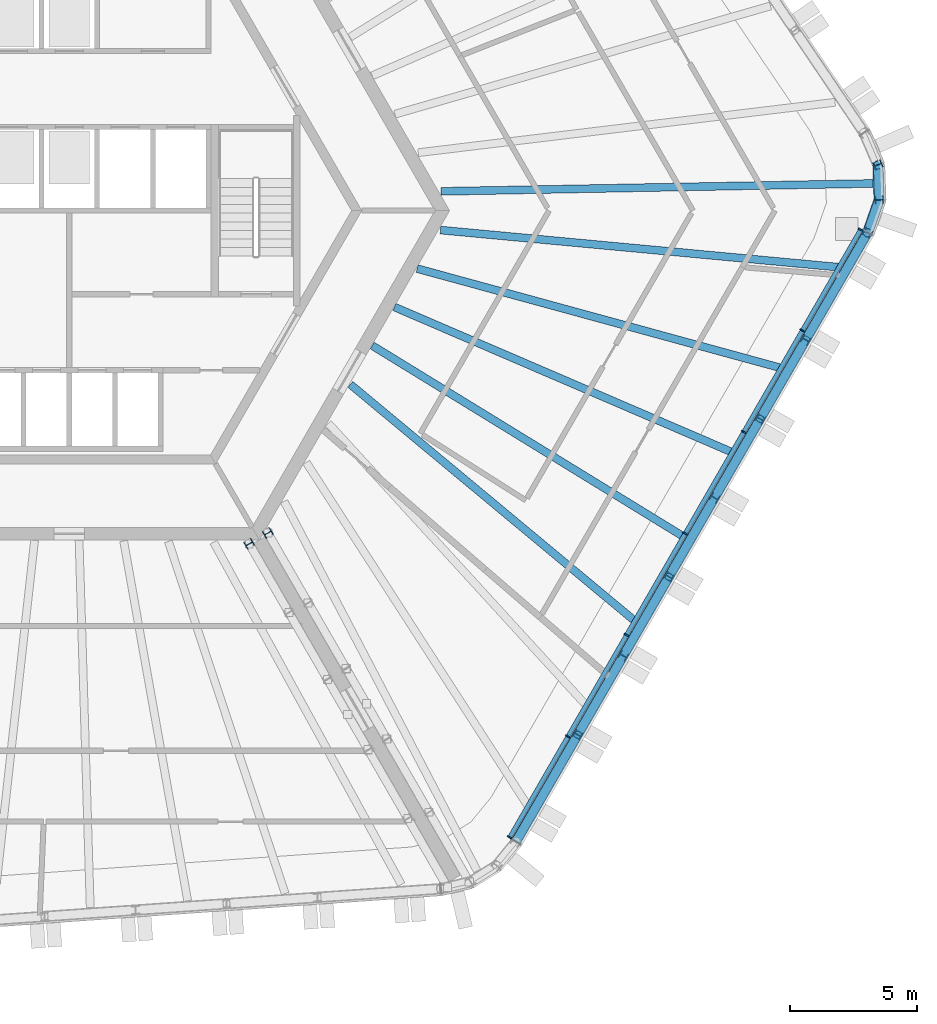
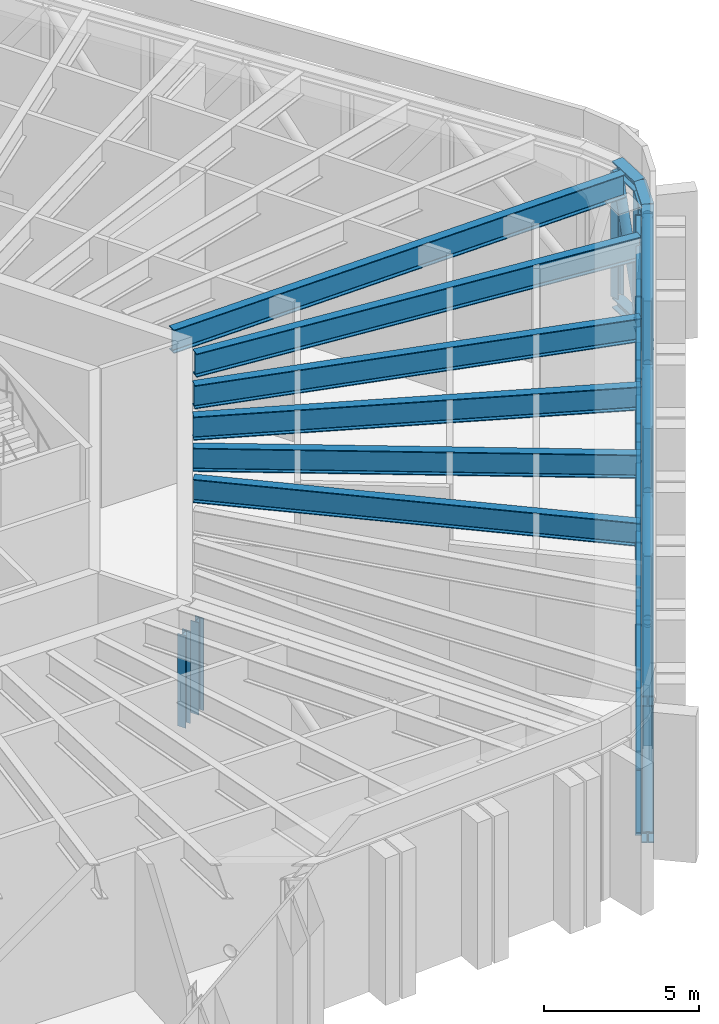
# One storey, part 5 of 24: 51 members, 6 beams, 1 element without a shape of its own.
"""IFC4 building model written with IfcOpenShell, lengths in metres."""

from ifc_helpers import new_model, si_unit, direction, frame, origin, origin_2d, place, context, subcontext, project, spatial, rectangle, hollow_circle, i_section, extrude, material, material_profile, profile_set, type_object, element, aggregate, save


model = new_model("IFC4")

# Units and contexts
model_context = context("Model", 3, precision=1e-05, world=origin(), true_north=direction((0.0, 1.0)))
body_context = subcontext(model_context, "Body", "Model", "MODEL_VIEW")
ifc_project = project(units=[si_unit("LENGTHUNIT", "METRE"), si_unit("AREAUNIT", "SQUARE_METRE"), si_unit("VOLUMEUNIT", "CUBIC_METRE"), si_unit("PLANEANGLEUNIT", "RADIAN"), si_unit("MASSUNIT", "GRAM", prefix="KILO")], contexts=[model_context])

# Site, building, storey
site_placement = place(None, origin())
site = spatial("IfcSite", under=ifc_project, at=site_placement, CompositionType="ELEMENT")
building_placement = place(site_placement, origin())
building = spatial("IfcBuilding", under=site, at=building_placement, Name="Tarnside Tower", CompositionType="ELEMENT")
storey_placement = place(building_placement, frame((0.0, 0.0, 250.199951171875)))
storey = spatial("IfcBuildingStorey", under=building, at=storey_placement, Name="L60", CompositionType="ELEMENT", Elevation=250.199951171875)

# Beams
ifc_material_1 = material(Name="Steel S355", Category="steel")
ifc_material_profile_1 = material_profile(ifc_material_1, i_section(OverallWidth=0.3076171875, OverallDepth=0.926513671875, WebThickness=0.01953125, FlangeThickness=0.031982421875, FilletRadius=0.01904296875, at=origin_2d()), Name="UB 914x305x289")
ifc_profile_set_1 = profile_set([ifc_material_profile_1], Name="Steel S355")
beam_type = type_object("IfcBeamType", Name="Floor beam UB 914x305x289", PredefinedType="BEAM", material=ifc_profile_set_1)
beam_1_placement = place(storey_placement, frame((22.364013671875, -16.228759765625, 5.036865234375), z_axis=(-0.7689391004, 0.639322031433, 0.0), x_axis=(-0.639322031433, -0.7689391004, 0.0)))
element("IfcBeam", 1, at=beam_1_placement, inside=storey, type_object=beam_type, Name="Floor beam F5.03", PredefinedType="BEAM", context=body_context, shape_type="SweptSolid", body=[
    extrude(i_section(OverallWidth=0.3076171875, OverallDepth=0.926513671875, WebThickness=0.01953125, FlangeThickness=0.031982421875, FilletRadius=0.01904296875, at=origin_2d()), origin(), (0.0, 0.0, 1.0), 14.654052734375),
])
beam_2_placement = place(storey_placement, frame((24.305908203125, -12.904052734375, 5.036865234375), z_axis=(-0.852280895074, 0.52308438697, 0.0), x_axis=(-0.52308438697, -0.852280895074, 0.0)))
element("IfcBeam", 2, at=beam_2_placement, inside=storey, type_object=beam_type, Name="Floor beam F5.04", PredefinedType="BEAM", context=body_context, shape_type="SweptSolid", body=[
    extrude(i_section(OverallWidth=0.3076171875, OverallDepth=0.926513671875, WebThickness=0.01953125, FlangeThickness=0.031982421875, FilletRadius=0.01904296875, at=origin_2d()), origin(), (0.0, 0.0, 1.0), 14.48681640625),
])
beam_3_placement = place(storey_placement, frame((26.23291015625, -9.566650390625, 5.036865234375), z_axis=(-0.918628109839, 0.395123266607, 0.0), x_axis=(-0.395123266607, -0.918628109839, 0.0)))
element("IfcBeam", 3, at=beam_3_placement, inside=storey, type_object=beam_type, Name="Floor beam F5.05", PredefinedType="BEAM", context=body_context, shape_type="SweptSolid", body=[
    extrude(i_section(OverallWidth=0.3076171875, OverallDepth=0.926513671875, WebThickness=0.01953125, FlangeThickness=0.031982421875, FilletRadius=0.01904296875, at=origin_2d()), origin(), (0.0, 0.0, 1.0), 14.58203125),
])
beam_4_placement = place(storey_placement, frame((28.140869140625, -6.224365234375, 5.036865234375), z_axis=(-0.964653201447, 0.263522676326, 0.0), x_axis=(-0.263522676326, -0.964653201447, 0.0)))
element("IfcBeam", 4, at=beam_4_placement, inside=storey, type_object=beam_type, Name="Floor beam F5.06", PredefinedType="BEAM", context=body_context, shape_type="SweptSolid", body=[
    extrude(i_section(OverallWidth=0.3076171875, OverallDepth=0.926513671875, WebThickness=0.01953125, FlangeThickness=0.031982421875, FilletRadius=0.01904296875, at=origin_2d()), origin(), (0.0, 0.0, 1.0), 14.934326171875),
])
beam_5_placement = place(storey_placement, frame((30.404541015625, -2.2353515625, 5.036865234375), z_axis=(-0.995682628039, 0.092822972484, 0.0), x_axis=(-0.092822972484, -0.995682628039, 0.0)))
element("IfcBeam", 5, at=beam_5_placement, inside=storey, type_object=beam_type, Name="Floor beam F5.07", PredefinedType="BEAM", context=body_context, shape_type="SweptSolid", body=[
    extrude(i_section(OverallWidth=0.3076171875, OverallDepth=0.926513671875, WebThickness=0.01953125, FlangeThickness=0.031982421875, FilletRadius=0.01904296875, at=origin_2d()), origin(), (0.0, 0.0, 1.0), 15.820556640625),
])
beam_6_placement = place(storey_placement, frame((31.71923828125, 1.072509765625, 5.036865234375), z_axis=(-0.999833319509, -0.018257414926, 0.0), x_axis=(0.018257414926, -0.999833319509, 0.0)))
element("IfcBeam", 6, at=beam_6_placement, inside=storey, type_object=beam_type, Name="Floor beam C5", PredefinedType="BEAM", context=body_context, shape_type="SweptSolid", body=[
    extrude(i_section(OverallWidth=0.3076171875, OverallDepth=0.926513671875, WebThickness=0.01953125, FlangeThickness=0.031982421875, FilletRadius=0.01904296875, at=origin_2d()), origin(), (0.0, 0.0, 1.0), 17.049560546875),
])

# Members
ifc_material_profile_2 = material_profile(ifc_material_1, i_section(OverallWidth=0.311279296875, OverallDepth=0.3271484375, WebThickness=0.015869140625, FlangeThickness=0.02490234375, FilletRadius=0.01513671875, at=origin_2d()), Name="UC 305x305x158")
ifc_profile_set_2 = profile_set([ifc_material_profile_2], Name="Steel S355")
member_type_1 = type_object("IfcMemberType", Name="Outrigger post UC 305x305x158", PredefinedType="POST", material=ifc_profile_set_2)
for number, where, z_axis, x_axis, name in (
    (7, (7.839111328125, -12.7265625, 0.9267578125), (0.0, 0.0, 1.0), (0.5, -0.866025403784, 0.0), "Outrigger truss post OR3A 1"),
    (8, (7.101806640625, -13.152099609375, 0.9267578125), (0.0, 0.0, 1.0), (0.5, -0.866025403784, 0.0), "Outrigger truss post OR3B 1"),
):
    element("IfcMember", number, at=place(storey_placement, frame(where, z_axis=z_axis, x_axis=x_axis)), inside=storey, type_object=member_type_1, Name=name, PredefinedType="POST", context=body_context, shape_type="SweptSolid", body=[
        extrude(i_section(OverallWidth=0.311279296875, OverallDepth=0.3271484375, WebThickness=0.015869140625, FlangeThickness=0.02490234375, FilletRadius=0.01513671875, at=origin_2d()), origin(), (0.0, 0.0, 1.0), 3.646728515625),
    ])

# Curtain wall, members
ifc_material_2 = material(Name="Sky lobby glazing wall", Category="glass")
curtain_wall_type = type_object("IfcCurtainWallType", Name="Sky lobby glazing wall", PredefinedType="NOTDEFINED", material=ifc_material_2)
curtain_wall_placement = place(storey_placement, origin())
curtain_wall = element("IfcCurtainWall", 9, at=curtain_wall_placement, inside=storey, type_object=curtain_wall_type, Name="Sky lobby glazing L60 F5", PredefinedType="NOTDEFINED")
ifc_material_3 = material(Name="Aluminium alloy 6063", Category="aluminium")
ifc_material_profile_3 = material_profile(ifc_material_3, rectangle(XDim=0.199951171875, YDim=0.06005859375, at=origin_2d()), Name="Sky lobby glazing mullion 60 x 200")
ifc_profile_set_3 = profile_set([ifc_material_profile_3], Name="Aluminium alloy 6063")
member_type_2 = type_object("IfcMemberType", Name="Sky lobby glazing mullion 60 x 200", PredefinedType="MULLION", material=ifc_profile_set_3)
member_1_placement = place(storey_placement, frame((17.38232421875, -24.736083984375, 0.0), z_axis=(0.0, 0.0, 1.0), x_axis=(-0.866025403784, 0.5, 0.0)))
member_1 = element("IfcMember", 10, at=member_1_placement, type_object=member_type_2, Name="CW4 mullion 1", PredefinedType="MULLION", context=body_context, shape_type="SweptSolid", body=[
    extrude(rectangle(XDim=0.199951171875, YDim=0.06005859375, at=origin_2d()), origin(), (0.0, 0.0, 1.0), 5.0810546875),
])
member_2_placement = place(storey_placement, frame((19.680419921875, -20.755615234375, 0.0), z_axis=(0.0, 0.0, 1.0), x_axis=(-0.866025403784, 0.5, 0.0)))
member_2 = element("IfcMember", 11, at=member_2_placement, type_object=member_type_2, Name="CW4 mullion 2", PredefinedType="MULLION", context=body_context, shape_type="SweptSolid", body=[
    extrude(rectangle(XDim=0.199951171875, YDim=0.06005859375, at=origin_2d()), origin(), (0.0, 0.0, 1.0), 5.0810546875),
])
member_3_placement = place(storey_placement, frame((21.993408203125, -16.7490234375, 0.0), z_axis=(0.0, 0.0, 1.0), x_axis=(-0.866025403784, 0.5, 0.0)))
member_3 = element("IfcMember", 12, at=member_3_placement, type_object=member_type_2, Name="CW4 mullion 3", PredefinedType="MULLION", context=body_context, shape_type="SweptSolid", body=[
    extrude(rectangle(XDim=0.199951171875, YDim=0.06005859375, at=origin_2d()), origin(), (0.0, 0.0, 1.0), 5.0810546875),
])
member_4_placement = place(storey_placement, frame((24.306640625, -12.74267578125, 0.0), z_axis=(0.0, 0.0, 1.0), x_axis=(-0.866025403784, 0.5, 0.0)))
member_4 = element("IfcMember", 13, at=member_4_placement, type_object=member_type_2, Name="CW4 mullion 4", PredefinedType="MULLION", context=body_context, shape_type="SweptSolid", body=[
    extrude(rectangle(XDim=0.199951171875, YDim=0.06005859375, at=origin_2d()), origin(), (0.0, 0.0, 1.0), 5.0810546875),
])
member_5_placement = place(storey_placement, frame((26.619873046875, -8.736083984375, 0.0), z_axis=(0.0, 0.0, 1.0), x_axis=(-0.866025403784, 0.5, 0.0)))
member_5 = element("IfcMember", 14, at=member_5_placement, type_object=member_type_2, Name="CW4 mullion 5", PredefinedType="MULLION", context=body_context, shape_type="SweptSolid", body=[
    extrude(rectangle(XDim=0.199951171875, YDim=0.06005859375, at=origin_2d()), origin(), (0.0, 0.0, 1.0), 5.0810546875),
])
member_6_placement = place(storey_placement, frame((28.93310546875, -4.7294921875, 0.0), z_axis=(0.0, 0.0, 1.0), x_axis=(-0.866025403784, 0.5, 0.0)))
member_6 = element("IfcMember", 15, at=member_6_placement, type_object=member_type_2, Name="CW4 mullion 6", PredefinedType="MULLION", context=body_context, shape_type="SweptSolid", body=[
    extrude(rectangle(XDim=0.199951171875, YDim=0.06005859375, at=origin_2d()), origin(), (0.0, 0.0, 1.0), 5.0810546875),
])
member_7_placement = place(storey_placement, frame((31.231201171875, -0.7490234375, 0.0), z_axis=(0.0, 0.0, 1.0), x_axis=(-0.866025403784, 0.5, 0.0)))
member_7 = element("IfcMember", 16, at=member_7_placement, type_object=member_type_2, Name="CW4 mullion 7", PredefinedType="MULLION", context=body_context, shape_type="SweptSolid", body=[
    extrude(rectangle(XDim=0.199951171875, YDim=0.06005859375, at=origin_2d()), origin(), (0.0, 0.0, 1.0), 5.0810546875),
])
ifc_material_profile_4 = material_profile(ifc_material_3, rectangle(XDim=0.159912109375, YDim=0.06005859375, at=origin_2d()), Name="Sky lobby glazing transom 60 x 160")
ifc_profile_set_4 = profile_set([ifc_material_profile_4], Name="Aluminium alloy 6063")
member_type_3 = type_object("IfcMemberType", Name="Sky lobby glazing transom 60 x 160", PredefinedType="USERDEFINED", material=ifc_profile_set_4)
member_8_placement = place(storey_placement, frame((17.397216796875, -24.710205078125, 0.030029296875), z_axis=(0.499970916434, 0.866042194538, 0.0), x_axis=(-0.866042194538, 0.499970916434, 0.0)))
member_8 = element("IfcMember", 17, at=member_8_placement, type_object=member_type_3, Name="CW4 transom 1.1", ObjectType="TRANSOM", PredefinedType="USERDEFINED", context=body_context, shape_type="SweptSolid", body=[
    extrude(rectangle(XDim=0.159912109375, YDim=0.06005859375, at=origin_2d()), origin(), (0.0, 0.0, 1.0), 4.536376953125),
])
member_9_placement = place(storey_placement, frame((17.397216796875, -24.710205078125, 2.54052734375), z_axis=(0.499970916434, 0.866042194538, 0.0), x_axis=(-0.866042194538, 0.499970916434, 0.0)))
member_9 = element("IfcMember", 18, at=member_9_placement, type_object=member_type_3, Name="CW4 transom 1.2", ObjectType="TRANSOM", PredefinedType="USERDEFINED", context=body_context, shape_type="SweptSolid", body=[
    extrude(rectangle(XDim=0.159912109375, YDim=0.06005859375, at=origin_2d()), origin(), (0.0, 0.0, 1.0), 4.536376953125),
])
member_10_placement = place(storey_placement, frame((17.397216796875, -24.710205078125, 5.051025390625), z_axis=(0.499970916434, 0.866042194538, 0.0), x_axis=(-0.866042194538, 0.499970916434, 0.0)))
member_10 = element("IfcMember", 19, at=member_10_placement, type_object=member_type_3, Name="CW4 transom 1.3", ObjectType="TRANSOM", PredefinedType="USERDEFINED", context=body_context, shape_type="SweptSolid", body=[
    extrude(rectangle(XDim=0.159912109375, YDim=0.06005859375, at=origin_2d()), origin(), (0.0, 0.0, 1.0), 4.536376953125),
])
member_11_placement = place(storey_placement, frame((19.6953125, -20.729736328125, 0.030029296875), z_axis=(0.500003221507, 0.866023543838, 0.0), x_axis=(-0.866023543838, 0.500003221507, 0.0)))
member_11 = element("IfcMember", 20, at=member_11_placement, type_object=member_type_3, Name="CW4 transom 2.1", ObjectType="TRANSOM", PredefinedType="USERDEFINED", context=body_context, shape_type="SweptSolid", body=[
    extrude(rectangle(XDim=0.159912109375, YDim=0.06005859375, at=origin_2d()), origin(), (0.0, 0.0, 1.0), 4.56640625),
])
member_12_placement = place(storey_placement, frame((19.6953125, -20.729736328125, 2.54052734375), z_axis=(0.500003221507, 0.866023543838, 0.0), x_axis=(-0.866023543838, 0.500003221507, 0.0)))
member_12 = element("IfcMember", 21, at=member_12_placement, type_object=member_type_3, Name="CW4 transom 2.2", ObjectType="TRANSOM", PredefinedType="USERDEFINED", context=body_context, shape_type="SweptSolid", body=[
    extrude(rectangle(XDim=0.159912109375, YDim=0.06005859375, at=origin_2d()), origin(), (0.0, 0.0, 1.0), 4.56640625),
])
member_13_placement = place(storey_placement, frame((19.6953125, -20.729736328125, 5.051025390625), z_axis=(0.500003221507, 0.866023543838, 0.0), x_axis=(-0.866023543838, 0.500003221507, 0.0)))
member_13 = element("IfcMember", 22, at=member_13_placement, type_object=member_type_3, Name="CW4 transom 2.3", ObjectType="TRANSOM", PredefinedType="USERDEFINED", context=body_context, shape_type="SweptSolid", body=[
    extrude(rectangle(XDim=0.159912109375, YDim=0.06005859375, at=origin_2d()), origin(), (0.0, 0.0, 1.0), 4.56640625),
])
member_14_placement = place(storey_placement, frame((22.008544921875, -16.72314453125, 0.030029296875), z_axis=(0.500003221507, 0.866023543838, 0.0), x_axis=(-0.866023543838, 0.500003221507, 0.0)))
member_14 = element("IfcMember", 23, at=member_14_placement, type_object=member_type_3, Name="CW4 transom 3.1", ObjectType="TRANSOM", PredefinedType="USERDEFINED", context=body_context, shape_type="SweptSolid", body=[
    extrude(rectangle(XDim=0.159912109375, YDim=0.06005859375, at=origin_2d()), origin(), (0.0, 0.0, 1.0), 4.56640625),
])
member_15_placement = place(storey_placement, frame((22.008544921875, -16.72314453125, 2.54052734375), z_axis=(0.500003221507, 0.866023543838, 0.0), x_axis=(-0.866023543838, 0.500003221507, 0.0)))
member_15 = element("IfcMember", 24, at=member_15_placement, type_object=member_type_3, Name="CW4 transom 3.2", ObjectType="TRANSOM", PredefinedType="USERDEFINED", context=body_context, shape_type="SweptSolid", body=[
    extrude(rectangle(XDim=0.159912109375, YDim=0.06005859375, at=origin_2d()), origin(), (0.0, 0.0, 1.0), 4.56640625),
])
member_16_placement = place(storey_placement, frame((22.008544921875, -16.72314453125, 5.051025390625), z_axis=(0.500003221507, 0.866023543838, 0.0), x_axis=(-0.866023543838, 0.500003221507, 0.0)))
member_16 = element("IfcMember", 25, at=member_16_placement, type_object=member_type_3, Name="CW4 transom 3.3", ObjectType="TRANSOM", PredefinedType="USERDEFINED", context=body_context, shape_type="SweptSolid", body=[
    extrude(rectangle(XDim=0.159912109375, YDim=0.06005859375, at=origin_2d()), origin(), (0.0, 0.0, 1.0), 4.56640625),
])
member_17_placement = place(storey_placement, frame((24.32177734375, -12.716552734375, 0.030029296875), z_axis=(0.499963121439, 0.866046694585, 0.0), x_axis=(-0.866046694585, 0.499963121439, 0.0)))
member_17 = element("IfcMember", 26, at=member_17_placement, type_object=member_type_3, Name="CW4 transom 4.1", ObjectType="TRANSOM", PredefinedType="USERDEFINED", context=body_context, shape_type="SweptSolid", body=[
    extrude(rectangle(XDim=0.159912109375, YDim=0.06005859375, at=origin_2d()), origin(), (0.0, 0.0, 1.0), 4.566162109375),
])
member_18_placement = place(storey_placement, frame((24.32177734375, -12.716552734375, 2.54052734375), z_axis=(0.499963121439, 0.866046694585, 0.0), x_axis=(-0.866046694585, 0.499963121439, 0.0)))
member_18 = element("IfcMember", 27, at=member_18_placement, type_object=member_type_3, Name="CW4 transom 4.2", ObjectType="TRANSOM", PredefinedType="USERDEFINED", context=body_context, shape_type="SweptSolid", body=[
    extrude(rectangle(XDim=0.159912109375, YDim=0.06005859375, at=origin_2d()), origin(), (0.0, 0.0, 1.0), 4.566162109375),
])
member_19_placement = place(storey_placement, frame((24.32177734375, -12.716552734375, 5.051025390625), z_axis=(0.499963121439, 0.866046694585, 0.0), x_axis=(-0.866046694585, 0.499963121439, 0.0)))
member_19 = element("IfcMember", 28, at=member_19_placement, type_object=member_type_3, Name="CW4 transom 4.3", ObjectType="TRANSOM", PredefinedType="USERDEFINED", context=body_context, shape_type="SweptSolid", body=[
    extrude(rectangle(XDim=0.159912109375, YDim=0.06005859375, at=origin_2d()), origin(), (0.0, 0.0, 1.0), 4.566162109375),
])
member_20_placement = place(storey_placement, frame((26.634765625, -8.710205078125, 0.030029296875), z_axis=(0.500003221507, 0.866023543838, 0.0), x_axis=(-0.866023543838, 0.500003221507, 0.0)))
member_20 = element("IfcMember", 29, at=member_20_placement, type_object=member_type_3, Name="CW4 transom 5.1", ObjectType="TRANSOM", PredefinedType="USERDEFINED", context=body_context, shape_type="SweptSolid", body=[
    extrude(rectangle(XDim=0.159912109375, YDim=0.06005859375, at=origin_2d()), origin(), (0.0, 0.0, 1.0), 4.56640625),
])
member_21_placement = place(storey_placement, frame((26.634765625, -8.710205078125, 2.54052734375), z_axis=(0.500003221507, 0.866023543838, 0.0), x_axis=(-0.866023543838, 0.500003221507, 0.0)))
member_21 = element("IfcMember", 30, at=member_21_placement, type_object=member_type_3, Name="CW4 transom 5.2", ObjectType="TRANSOM", PredefinedType="USERDEFINED", context=body_context, shape_type="SweptSolid", body=[
    extrude(rectangle(XDim=0.159912109375, YDim=0.06005859375, at=origin_2d()), origin(), (0.0, 0.0, 1.0), 4.56640625),
])
member_22_placement = place(storey_placement, frame((26.634765625, -8.710205078125, 5.051025390625), z_axis=(0.500003221507, 0.866023543838, 0.0), x_axis=(-0.866023543838, 0.500003221507, 0.0)))
member_22 = element("IfcMember", 31, at=member_22_placement, type_object=member_type_3, Name="CW4 transom 5.3", ObjectType="TRANSOM", PredefinedType="USERDEFINED", context=body_context, shape_type="SweptSolid", body=[
    extrude(rectangle(XDim=0.159912109375, YDim=0.06005859375, at=origin_2d()), origin(), (0.0, 0.0, 1.0), 4.56640625),
])
member_23_placement = place(storey_placement, frame((28.947998046875, -4.70361328125, 0.030029296875), z_axis=(0.499994220392, 0.866028740617, 0.0), x_axis=(-0.866028740617, 0.499994220392, 0.0)))
member_23 = element("IfcMember", 32, at=member_23_placement, type_object=member_type_3, Name="CW4 transom 6.1", ObjectType="TRANSOM", PredefinedType="USERDEFINED", context=body_context, shape_type="SweptSolid", body=[
    extrude(rectangle(XDim=0.159912109375, YDim=0.06005859375, at=origin_2d()), origin(), (0.0, 0.0, 1.0), 4.5361328125),
])
member_24_placement = place(storey_placement, frame((28.947998046875, -4.70361328125, 2.54052734375), z_axis=(0.499994220392, 0.866028740617, 0.0), x_axis=(-0.866028740617, 0.499994220392, 0.0)))
member_24 = element("IfcMember", 33, at=member_24_placement, type_object=member_type_3, Name="CW4 transom 6.2", ObjectType="TRANSOM", PredefinedType="USERDEFINED", context=body_context, shape_type="SweptSolid", body=[
    extrude(rectangle(XDim=0.159912109375, YDim=0.06005859375, at=origin_2d()), origin(), (0.0, 0.0, 1.0), 4.5361328125),
])
member_25_placement = place(storey_placement, frame((28.947998046875, -4.70361328125, 5.051025390625), z_axis=(0.499994220392, 0.866028740617, 0.0), x_axis=(-0.866028740617, 0.499994220392, 0.0)))
member_25 = element("IfcMember", 34, at=member_25_placement, type_object=member_type_3, Name="CW4 transom 6.3", ObjectType="TRANSOM", PredefinedType="USERDEFINED", context=body_context, shape_type="SweptSolid", body=[
    extrude(rectangle(XDim=0.159912109375, YDim=0.06005859375, at=origin_2d()), origin(), (0.0, 0.0, 1.0), 4.5361328125),
])
aggregate(curtain_wall, [member_1, member_2, member_3, member_4, member_5, member_6, member_7, member_8, member_9, member_10, member_11, member_12, member_13, member_14, member_15, member_16, member_17, member_18, member_19, member_20, member_21, member_22, member_23, member_24, member_25])

# Members
ifc_material_profile_5 = material_profile(ifc_material_1, i_section(OverallWidth=0.403076171875, OverallDepth=0.406494140625, WebThickness=0.026611328125, FlangeThickness=0.04296875, FilletRadius=0.01513671875, at=origin_2d()), Name="UC 356x406x340")
ifc_profile_set_5 = profile_set([ifc_material_profile_5], Name="Steel S355")
member_type_4 = type_object("IfcMemberType", Name="Truss chord UC 356x406x340", PredefinedType="CHORD", material=ifc_profile_set_5)
member_26_placement = place(storey_placement, frame((17.6298828125, -24.913818359375, -0.0966796875), z_axis=(0.500005165666, 0.866022421365, 0.0), x_axis=(-0.866022421365, 0.500005165666, 0.0)))
element("IfcMember", 35, at=member_26_placement, inside=storey, type_object=member_type_4, Name="Belt truss bottom chord L60 run", PredefinedType="CHORD", context=body_context, shape_type="SweptSolid", body=[
    extrude(i_section(OverallWidth=0.403076171875, OverallDepth=0.406494140625, WebThickness=0.026611328125, FlangeThickness=0.04296875, FilletRadius=0.01513671875, at=origin_2d()), origin(), (0.0, 0.0, 1.0), 27.758056640625),
])
member_27_placement = place(storey_placement, frame((31.509033203125, -0.874755859375, -0.0966796875), z_axis=(0.331060058364, 0.943609685069, 0.0), x_axis=(-0.943609685069, 0.331060058364, 0.0)))
element("IfcMember", 36, at=member_27_placement, inside=storey, type_object=member_type_4, Name="Belt truss bottom chord L60 corner5.1", PredefinedType="CHORD", context=body_context, shape_type="SweptSolid", body=[
    extrude(i_section(OverallWidth=0.403076171875, OverallDepth=0.406494140625, WebThickness=0.026611328125, FlangeThickness=0.04296875, FilletRadius=0.01513671875, at=origin_2d()), origin(), (0.0, 0.0, 1.0), 1.379150390625),
])
member_28_placement = place(storey_placement, frame((31.965576171875, 0.426513671875, -0.0966796875), z_axis=(-0.034883080409, 0.999391400154, 0.0), x_axis=(-0.999391400154, -0.034883080409, 0.0)))
element("IfcMember", 37, at=member_28_placement, inside=storey, type_object=member_type_4, Name="Belt truss bottom chord L60 corner5.2", PredefinedType="CHORD", context=body_context, shape_type="SweptSolid", body=[
    extrude(i_section(OverallWidth=0.403076171875, OverallDepth=0.406494140625, WebThickness=0.026611328125, FlangeThickness=0.04296875, FilletRadius=0.01513671875, at=origin_2d()), origin(), (0.0, 0.0, 1.0), 1.378662109375),
])
ifc_material_profile_6 = material_profile(ifc_material_1, i_section(OverallWidth=0.406982421875, OverallDepth=0.4189453125, WebThickness=0.030517578125, FlangeThickness=0.04931640625, FilletRadius=0.01513671875, at=origin_2d()), Name="UC 356x406x393")
ifc_profile_set_6 = profile_set([ifc_material_profile_6], Name="Steel S355")
member_type_5 = type_object("IfcMemberType", Name="Truss chord UC 356x406x393", PredefinedType="CHORD", material=ifc_profile_set_6)
member_29_placement = place(storey_placement, frame((17.6298828125, -24.913818359375, 5.29052734375), z_axis=(0.500005165666, 0.866022421365, 0.0), x_axis=(-0.866022421365, 0.500005165666, 0.0)))
element("IfcMember", 38, at=member_29_placement, inside=storey, type_object=member_type_5, Name="Belt truss top chord L60 run", PredefinedType="CHORD", context=body_context, shape_type="SweptSolid", body=[
    extrude(i_section(OverallWidth=0.406982421875, OverallDepth=0.4189453125, WebThickness=0.030517578125, FlangeThickness=0.04931640625, FilletRadius=0.01513671875, at=origin_2d()), origin(), (0.0, 0.0, 1.0), 27.758056640625),
])
member_30_placement = place(storey_placement, frame((31.509033203125, -0.874755859375, 5.29052734375), z_axis=(0.331060058364, 0.943609685069, 0.0), x_axis=(-0.943609685069, 0.331060058364, 0.0)))
element("IfcMember", 39, at=member_30_placement, inside=storey, type_object=member_type_5, Name="Belt truss top chord L60 corner5.1", PredefinedType="CHORD", context=body_context, shape_type="SweptSolid", body=[
    extrude(i_section(OverallWidth=0.406982421875, OverallDepth=0.4189453125, WebThickness=0.030517578125, FlangeThickness=0.04931640625, FilletRadius=0.01513671875, at=origin_2d()), origin(), (0.0, 0.0, 1.0), 1.379150390625),
])
member_31_placement = place(storey_placement, frame((31.965576171875, 0.426513671875, 5.29052734375), z_axis=(-0.034883080409, 0.999391400154, 0.0), x_axis=(-0.999391400154, -0.034883080409, 0.0)))
element("IfcMember", 40, at=member_31_placement, inside=storey, type_object=member_type_5, Name="Belt truss top chord L60 corner5.2", PredefinedType="CHORD", context=body_context, shape_type="SweptSolid", body=[
    extrude(i_section(OverallWidth=0.406982421875, OverallDepth=0.4189453125, WebThickness=0.030517578125, FlangeThickness=0.04931640625, FilletRadius=0.01513671875, at=origin_2d()), origin(), (0.0, 0.0, 1.0), 1.378662109375),
])
ifc_material_profile_7 = material_profile(ifc_material_1, hollow_circle(Radius=0.177734375, WallThickness=0.01611328125, at=origin_2d()), Name="CHS 355.6x16")
ifc_profile_set_7 = profile_set([ifc_material_profile_7], Name="Steel S355")
member_type_6 = type_object("IfcMemberType", Name="Truss diagonal CHS 355.6x16", PredefinedType="BRACE", material=ifc_profile_set_7)
member_32_placement = place(storey_placement, frame((17.6298828125, -24.913818359375, 0.1064453125), z_axis=(0.350138550562, 0.606374237569, 0.713942070075), x_axis=(-0.865995581791, 0.50005164965, 0.0)))
element("IfcMember", 41, at=member_32_placement, inside=storey, type_object=member_type_6, Name="Belt truss diagonal L60 41", PredefinedType="BRACE", context=body_context, shape_type="SweptSolid", body=[
    extrude(hollow_circle(Radius=0.177734375, WallThickness=0.01611328125, at=origin_2d()), origin(), (0.0, 0.0, 1.0), 6.9677734375),
])
for number, where, z_axis, x_axis, name in (
    (42, (20.069580078125, -20.688720703125, 5.0810546875), (0.29309724695, 0.50775161975, -0.81011252087), (-0.866064758299, 0.499931829785, 0.0), "Belt truss diagonal L60 42"),
    (43, (21.869384765625, -17.57080078125, 0.1064453125), (0.2931395064, 0.507716193779, 0.810119433394), (-0.866018442252, 0.500012057535, 0.0), "Belt truss diagonal L60 43"),
    (44, (23.66943359375, -14.453125, 5.0810546875), (0.2931395064, 0.507716193779, -0.810119433394), (-0.866018442252, 0.500012057535, 0.0), "Belt truss diagonal L60 44"),
):
    element("IfcMember", number, at=place(storey_placement, frame(where, z_axis=z_axis, x_axis=x_axis)), inside=storey, type_object=member_type_6, Name=name, PredefinedType="BRACE", context=body_context, shape_type="SweptSolid", body=[
        extrude(hollow_circle(Radius=0.177734375, WallThickness=0.01611328125, at=origin_2d()), origin(), (0.0, 0.0, 1.0), 6.140625),
    ])
member_33_placement = place(storey_placement, frame((25.469482421875, -11.33544921875, 0.1064453125), z_axis=(0.293145423674, 0.507686683153, 0.810135786352), x_axis=(-0.866001485781, 0.500041424909, 0.0)))
element("IfcMember", 45, at=member_33_placement, inside=storey, type_object=member_type_6, Name="Belt truss diagonal L60 45", PredefinedType="BRACE", context=body_context, shape_type="SweptSolid", body=[
    extrude(hollow_circle(Radius=0.177734375, WallThickness=0.01611328125, at=origin_2d()), origin(), (0.0, 0.0, 1.0), 6.140380859375),
])
member_34_placement = place(storey_placement, frame((27.26953125, -8.218017578125, 5.0810546875), z_axis=(0.293133589022, 0.507745702617, -0.810103080145), x_axis=(-0.866035395735, 0.499982693035, 0.0)))
element("IfcMember", 46, at=member_34_placement, inside=storey, type_object=member_type_6, Name="Belt truss diagonal L60 46", PredefinedType="BRACE", context=body_context, shape_type="SweptSolid", body=[
    extrude(hollow_circle(Radius=0.177734375, WallThickness=0.01611328125, at=origin_2d()), origin(), (0.0, 0.0, 1.0), 6.140625),
])
member_35_placement = place(storey_placement, frame((29.069580078125, -5.10009765625, 0.1064453125), z_axis=(0.350100368534, 0.606403830887, 0.713935659453), x_axis=(-0.866029761307, 0.499992452474, 0.0)))
element("IfcMember", 47, at=member_35_placement, inside=storey, type_object=member_type_6, Name="Belt truss diagonal L60 47", PredefinedType="BRACE", context=body_context, shape_type="SweptSolid", body=[
    extrude(hollow_circle(Radius=0.177734375, WallThickness=0.01611328125, at=origin_2d()), origin(), (0.0, 0.0, 1.0), 6.9677734375),
])
for number, where, z_axis, x_axis, name in (
    (48, (31.509033203125, -0.874755859375, 5.0810546875), (0.088439341457, 0.252075770034, -0.963657765519), (-0.943609685069, 0.331060058364, 0.0), "Belt truss diagonal L60 48"),
    (49, (31.965576171875, 0.426513671875, 0.1064453125), (-0.009316999494, 0.266929670794, 0.963670973087), (-0.999391400154, -0.034883080409, 0.0), "Belt truss diagonal L60 49"),
):
    element("IfcMember", number, at=place(storey_placement, frame(where, z_axis=z_axis, x_axis=x_axis)), inside=storey, type_object=member_type_6, Name=name, PredefinedType="BRACE", context=body_context, shape_type="SweptSolid", body=[
        extrude(hollow_circle(Radius=0.177734375, WallThickness=0.01611328125, at=origin_2d()), origin(), (0.0, 0.0, 1.0), 5.162109375),
    ])
ifc_material_profile_8 = material_profile(ifc_material_1, i_section(OverallWidth=0.311279296875, OverallDepth=0.3271484375, WebThickness=0.015869140625, FlangeThickness=0.02490234375, FilletRadius=0.01513671875, at=origin_2d()), Name="UC 305x305x158")
ifc_profile_set_8 = profile_set([ifc_material_profile_8], Name="Steel S355")
member_type_7 = type_object("IfcMemberType", Name="Truss post UC 305x305x158", PredefinedType="POST", material=ifc_profile_set_8)
for number, where, z_axis, x_axis, name in (
    (50, (20.069580078125, -20.688720703125, 0.1064453125), (0.0, 0.0, 1.0), (0.5, 0.866025403784, 0.0), "Belt truss post L60 42"),
    (51, (21.869384765625, -17.57080078125, 0.1064453125), (0.0, 0.0, 1.0), (0.5, 0.866025403784, 0.0), "Belt truss post L60 43"),
    (52, (23.66943359375, -14.453125, 0.1064453125), (0.0, 0.0, 1.0), (0.5, 0.866025403784, 0.0), "Belt truss post L60 44"),
    (53, (25.469482421875, -11.33544921875, 0.1064453125), (0.0, 0.0, 1.0), (0.5, 0.866025403784, 0.0), "Belt truss post L60 45"),
    (54, (27.26953125, -8.218017578125, 0.1064453125), (0.0, 0.0, 1.0), (0.5, 0.866025403784, 0.0), "Belt truss post L60 46"),
    (55, (29.069580078125, -5.10009765625, 0.1064453125), (0.0, 0.0, 1.0), (0.5, 0.866025403784, 0.0), "Belt truss post L60 47"),
    (56, (31.509033203125, -0.874755859375, 0.1064453125), (0.0, 0.0, 1.0), (0.5, 0.866025403784, 0.0), "Belt truss post L60 48"),
    (57, (31.965576171875, 0.426513671875, 0.1064453125), (0.0, 0.0, 1.0), (-0.034899496703, 0.999390827019, 0.0), "Belt truss post L60 49"),
    (58, (31.91748046875, 1.804443359375, 0.1064453125), (0.0, 0.0, 1.0), (-0.396079766034, 0.918216106883, 0.0), "Belt truss post L60 50"),
):
    element("IfcMember", number, at=place(storey_placement, frame(where, z_axis=z_axis, x_axis=x_axis)), inside=storey, type_object=member_type_7, Name=name, PredefinedType="POST", context=body_context, shape_type="SweptSolid", body=[
        extrude(i_section(OverallWidth=0.311279296875, OverallDepth=0.3271484375, WebThickness=0.015869140625, FlangeThickness=0.02490234375, FilletRadius=0.01513671875, at=origin_2d()), origin(), (0.0, 0.0, 1.0), 4.974609375),
    ])

save(model, "model.ifc")
